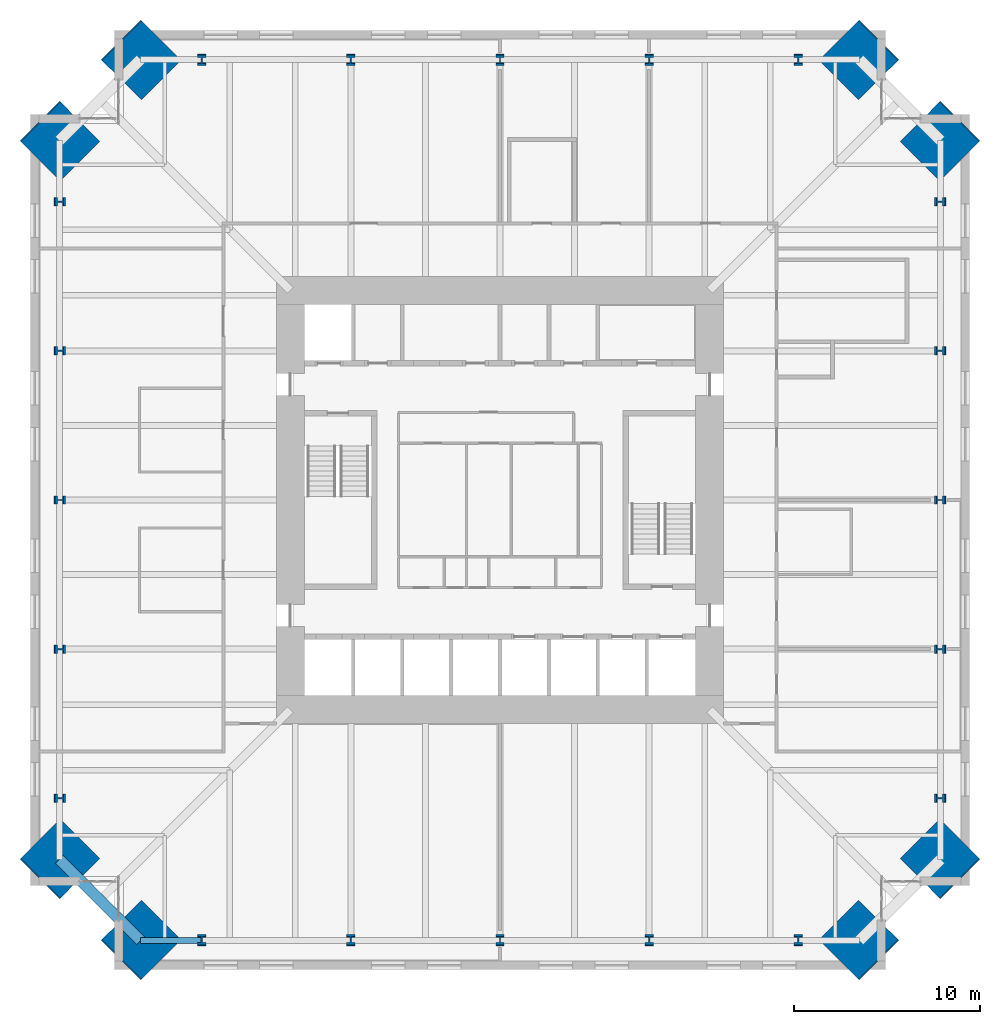
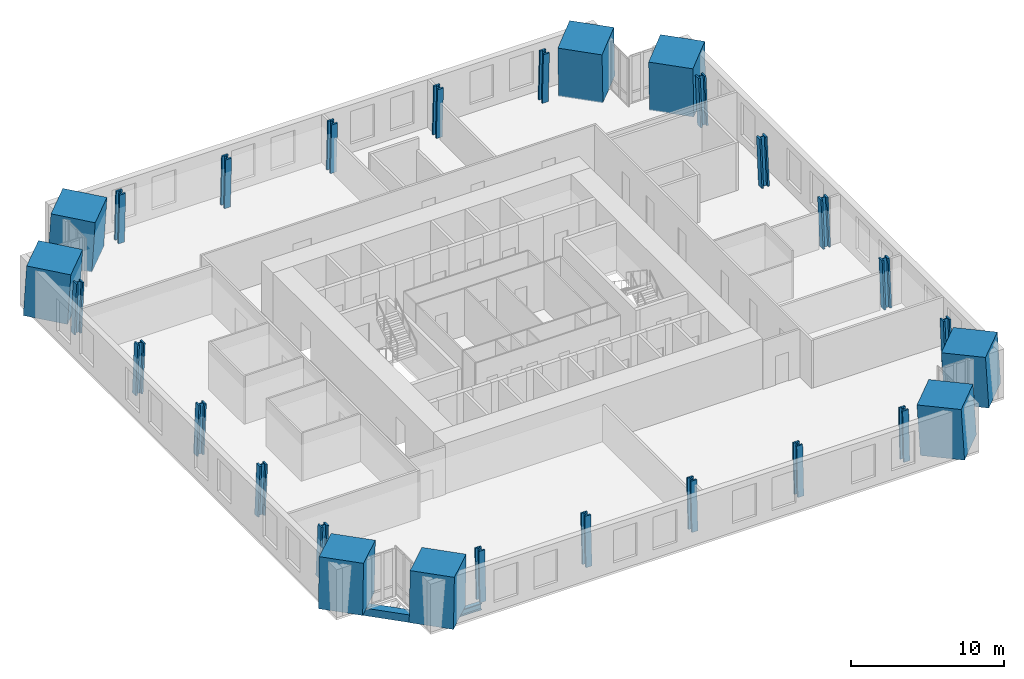
# One storey, part 1 of 15: 28 columns, 2 beams.
"""IFC4 building model written with IfcOpenShell, lengths in metres."""

from ifc_helpers import new_model, si_unit, direction, frame, origin, origin_2d, place, context, subcontext, project, spatial, rectangle, hollow_rectangle, i_section, extrude, material, material_profile, profile_set, type_object, element, save


model = new_model("IFC4")

# Units and contexts
model_context = context("Model", 3, precision=1e-05, world=origin(), true_north=direction((0.0, 1.0)))
body_context = subcontext(model_context, "Body", "Model", "MODEL_VIEW")
ifc_project = project(units=[si_unit("LENGTHUNIT", "METRE"), si_unit("AREAUNIT", "SQUARE_METRE"), si_unit("VOLUMEUNIT", "CUBIC_METRE"), si_unit("PLANEANGLEUNIT", "RADIAN"), si_unit("MASSUNIT", "GRAM", prefix="KILO")], contexts=[model_context])

# Site, building, storey
site_placement = place(None, origin())
site = spatial("IfcSite", under=ifc_project, at=site_placement, CompositionType="ELEMENT")
building_placement = place(site_placement, origin())
building = spatial("IfcBuilding", under=site, at=building_placement, Name="Peilmerk Tower", CompositionType="ELEMENT")
storey_placement = place(building_placement, frame((0.0, 0.0, 179.800048828125)))
storey = spatial("IfcBuildingStorey", under=building, at=storey_placement, Name="L38", CompositionType="ELEMENT", Elevation=179.800048828125)

# Columns
ifc_material_1 = material(Name="Concrete C90/105", Category="concrete")
ifc_material_profile_1 = material_profile(ifc_material_1, rectangle(XDim=3.0, YDim=3.0, at=origin_2d()), Name="RC 3000x3000")
ifc_profile_set_1 = profile_set([ifc_material_profile_1], Name="Concrete C90/105")
column_type_1 = type_object("IfcColumnType", Name="MC2 3000x3000 encased mega column", PredefinedType="COLUMN", material=ifc_profile_set_1)
for number, where, z_axis, x_axis, name in (
    (1, (19.296875, 23.646728515625, 0.0), (-0.040278830354, -0.040217894151, 0.998378754189), (0.706571297296, -0.707641859868, 0.0), "Mega column MC2 NE_N L38"),
    (2, (23.646728515625, 19.296875, 0.0), (-0.040217894151, -0.040278830354, 0.998378754189), (0.707641859868, -0.706571297296, 0.0), "Mega column MC2 NE_E L38"),
    (3, (23.646728515625, -19.296875, 0.0), (-0.040217894151, 0.040278830354, 0.998378754189), (-0.707641859868, -0.706571297296, 0.0), "Mega column MC2 SE_E L38"),
    (4, (19.296875, -23.646728515625, 0.0), (-0.040278830354, 0.040217894151, 0.998378754189), (-0.706571297296, -0.707641859868, 0.0), "Mega column MC2 SE_S L38"),
    (5, (-19.296875, -23.646728515625, 0.0), (0.040278830354, 0.040217894151, 0.998378754189), (-0.706571297296, 0.707641859868, 0.0), "Mega column MC2 SW_S L38"),
    (6, (-23.646728515625, -19.296875, 0.0), (0.040217894151, 0.040278830354, 0.998378754189), (-0.707641859868, 0.706571297296, 0.0), "Mega column MC2 SW_W L38"),
    (7, (-23.646728515625, 19.296875, 0.0), (0.040217894151, -0.040278830354, 0.998378754189), (0.707641859868, 0.706571297296, 0.0), "Mega column MC2 NW_W L38"),
    (8, (-19.296875, 23.646728515625, 0.0), (0.040278830354, -0.040217894151, 0.998378754189), (0.706571297296, 0.707641859868, 0.0), "Mega column MC2 NW_N L38"),
):
    element("IfcColumn", number, at=place(storey_placement, frame(where, z_axis=z_axis, x_axis=x_axis)), inside=storey, type_object=column_type_1, Name=name, PredefinedType="COLUMN", context=body_context, shape_type="SweptSolid", body=[
        extrude(rectangle(XDim=3.0, YDim=3.0, at=origin_2d()), origin(), (0.0, 0.0, 1.0), 4.006591796875),
    ])
ifc_material_2 = material(Name="Steel S460", Category="steel")
ifc_material_profile_2 = material_profile(ifc_material_2, i_section(OverallWidth=0.4541015625, OverallDepth=0.569091796875, WebThickness=0.077880859375, FlangeThickness=0.125, at=origin_2d()), Name="HD 400x1086")
ifc_profile_set_2 = profile_set([ifc_material_profile_2], Name="Steel S460")
column_type_2 = type_object("IfcColumnType", Name="SC6 HD 400x1086 interior column", PredefinedType="COLUMN", material=ifc_profile_set_2)
for number, where, z_axis, x_axis, name in (
    (9, (0.0, 23.646728515625, 0.0), (0.0, -0.040250558339, 0.999189617917), (1.0, 0.0, 0.0), "Perimeter column N+0 L38"),
    (10, (8.0, 23.646728515625, 0.0), (0.0, -0.040250558339, 0.999189617917), (1.0, 0.0, 0.0), "Perimeter column N-8 L38"),
    (11, (-8.0, 23.646728515625, 0.0), (0.0, -0.040250558339, 0.999189617917), (1.0, 0.0, 0.0), "Perimeter column N+8 L38"),
    (12, (16.0, 23.646728515625, 0.0), (0.0, -0.040250558339, 0.999189617917), (1.0, 0.0, 0.0), "Perimeter column N-16 L38"),
    (13, (-16.0, 23.646728515625, 0.0), (0.0, -0.040250558339, 0.999189617917), (1.0, 0.0, 0.0), "Perimeter column N+16 L38"),
    (14, (23.646728515625, 0.0, 0.0), (-0.040250558339, 0.0, 0.999189617917), (0.0, -1.0, 0.0), "Perimeter column E+0 L38"),
    (15, (23.646728515625, -8.0, 0.0), (-0.040250558339, 0.0, 0.999189617917), (0.0, -1.0, 0.0), "Perimeter column E-8 L38"),
    (16, (23.646728515625, 8.0, 0.0), (-0.040250558339, 0.0, 0.999189617917), (0.0, -1.0, 0.0), "Perimeter column E+8 L38"),
    (17, (23.646728515625, -16.0, 0.0), (-0.040250558339, 0.0, 0.999189617917), (0.0, -1.0, 0.0), "Perimeter column E-16 L38"),
    (18, (23.646728515625, 16.0, 0.0), (-0.040250558339, 0.0, 0.999189617917), (0.0, -1.0, 0.0), "Perimeter column E+16 L38"),
    (19, (0.0, -23.646728515625, 0.0), (0.0, 0.040250558339, 0.999189617917), (-1.0, 0.0, 0.0), "Perimeter column S+0 L38"),
    (20, (-8.0, -23.646728515625, 0.0), (0.0, 0.040250558339, 0.999189617917), (-1.0, 0.0, 0.0), "Perimeter column S-8 L38"),
    (21, (8.0, -23.646728515625, 0.0), (0.0, 0.040250558339, 0.999189617917), (-1.0, 0.0, 0.0), "Perimeter column S+8 L38"),
    (22, (-16.0, -23.646728515625, 0.0), (0.0, 0.040250558339, 0.999189617917), (-1.0, 0.0, 0.0), "Perimeter column S-16 L38"),
    (23, (16.0, -23.646728515625, 0.0), (0.0, 0.040250558339, 0.999189617917), (-1.0, 0.0, 0.0), "Perimeter column S+16 L38"),
    (24, (-23.646728515625, 0.0, 0.0), (0.040250558339, 0.0, 0.999189617917), (0.0, 1.0, 0.0), "Perimeter column W+0 L38"),
    (25, (-23.646728515625, 8.0, 0.0), (0.040250558339, 0.0, 0.999189617917), (0.0, 1.0, 0.0), "Perimeter column W-8 L38"),
    (26, (-23.646728515625, -8.0, 0.0), (0.040250558339, 0.0, 0.999189617917), (0.0, 1.0, 0.0), "Perimeter column W+8 L38"),
    (27, (-23.646728515625, 16.0, 0.0), (0.040250558339, 0.0, 0.999189617917), (0.0, 1.0, 0.0), "Perimeter column W-16 L38"),
    (28, (-23.646728515625, -16.0, 0.0), (0.040250558339, 0.0, 0.999189617917), (0.0, 1.0, 0.0), "Perimeter column W+16 L38"),
):
    element("IfcColumn", number, at=place(storey_placement, frame(where, z_axis=z_axis, x_axis=x_axis)), inside=storey, type_object=column_type_2, Name=name, PredefinedType="COLUMN", context=body_context, shape_type="SweptSolid", body=[
        extrude(i_section(OverallWidth=0.4541015625, OverallDepth=0.569091796875, WebThickness=0.077880859375, FlangeThickness=0.125, at=origin_2d()), origin(), (0.0, 0.0, 1.0), 4.003173828125),
    ])

# Beams
ifc_material_profile_3 = material_profile(ifc_material_2, hollow_rectangle(XDim=0.60009765625, YDim=0.60009765625, WallThickness=0.06005859375, at=origin_2d()), Name="BOX 600x600x60")
ifc_profile_set_3 = profile_set([ifc_material_profile_3], Name="Steel S460")
beam_type_1 = type_object("IfcBeamType", Name="B20 BOX 600x600x60 notch beam", PredefinedType="SPANDREL", material=ifc_profile_set_3)
beam_1_placement = place(storey_placement, frame((-19.296875, -23.646728515625, -0.469970703125), z_axis=(-0.707106781187, 0.707106781187, 0.0), x_axis=(-0.707106781187, -0.707106781187, 0.0)))
element("IfcBeam", 29, at=beam_1_placement, inside=storey, type_object=beam_type_1, Name="Notch beam L38", PredefinedType="SPANDREL", context=body_context, shape_type="SweptSolid", body=[
    extrude(hollow_rectangle(XDim=0.60009765625, YDim=0.60009765625, WallThickness=0.06005859375, at=origin_2d()), origin(), (0.0, 0.0, 1.0), 6.151611328125),
])
ifc_material_3 = material(Name="Steel S355", Category="steel")
ifc_material_profile_4 = material_profile(ifc_material_3, i_section(OverallWidth=0.305908203125, OverallDepth=0.52392578125, WebThickness=0.02099609375, FlangeThickness=0.0400390625, at=origin_2d()), Name="HEM 500")
ifc_profile_set_4 = profile_set([ifc_material_profile_4], Name="Steel S355")
beam_type_2 = type_object("IfcBeamType", Name="B33 HEM 500 edge beam", PredefinedType="SPANDREL", material=ifc_profile_set_4)
beam_2_placement = place(storey_placement, frame((-19.296875, -23.646728515625, -0.43212890625), z_axis=(1.0, 0.0, 0.0), x_axis=(0.0, 1.0, 0.0)))
element("IfcBeam", 30, at=beam_2_placement, inside=storey, type_object=beam_type_2, Name="Edge beam L38", PredefinedType="SPANDREL", context=body_context, shape_type="SweptSolid", body=[
    extrude(i_section(OverallWidth=0.305908203125, OverallDepth=0.52392578125, WebThickness=0.02099609375, FlangeThickness=0.0400390625, at=origin_2d()), origin(), (0.0, 0.0, 1.0), 3.296875),
])

save(model, "model.ifc")
